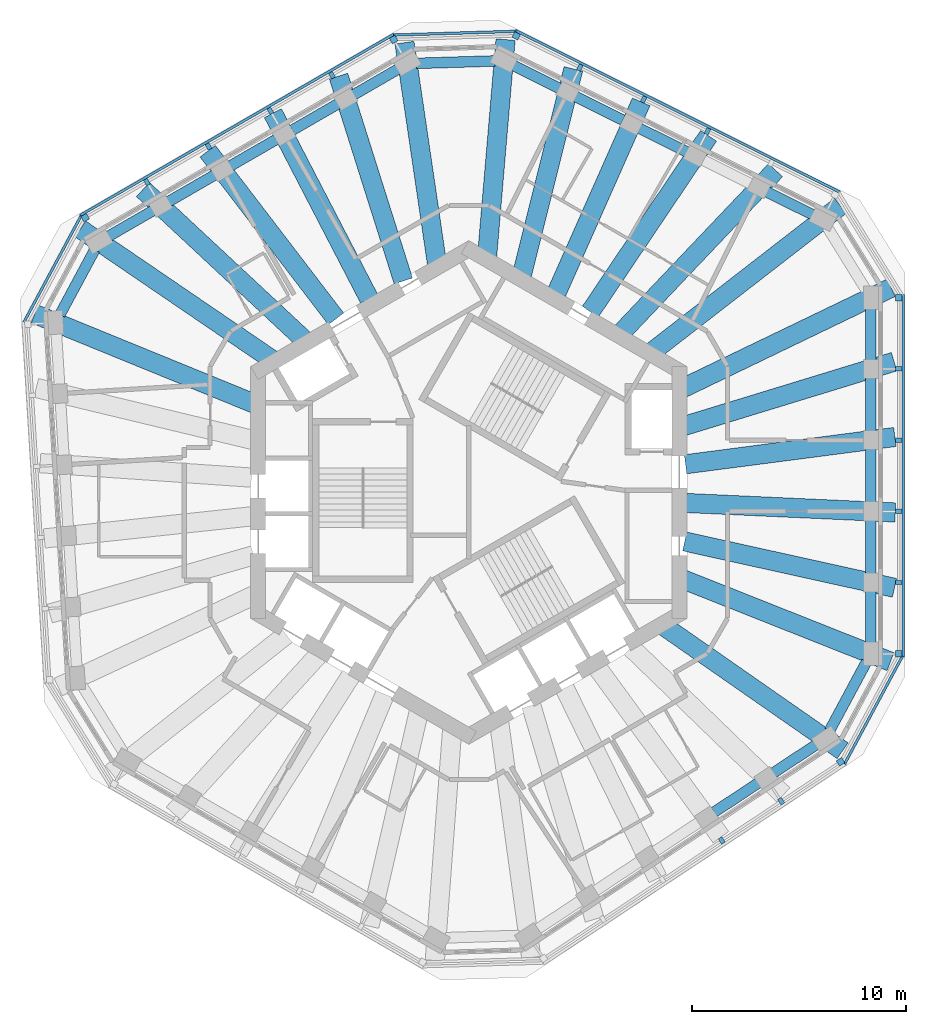
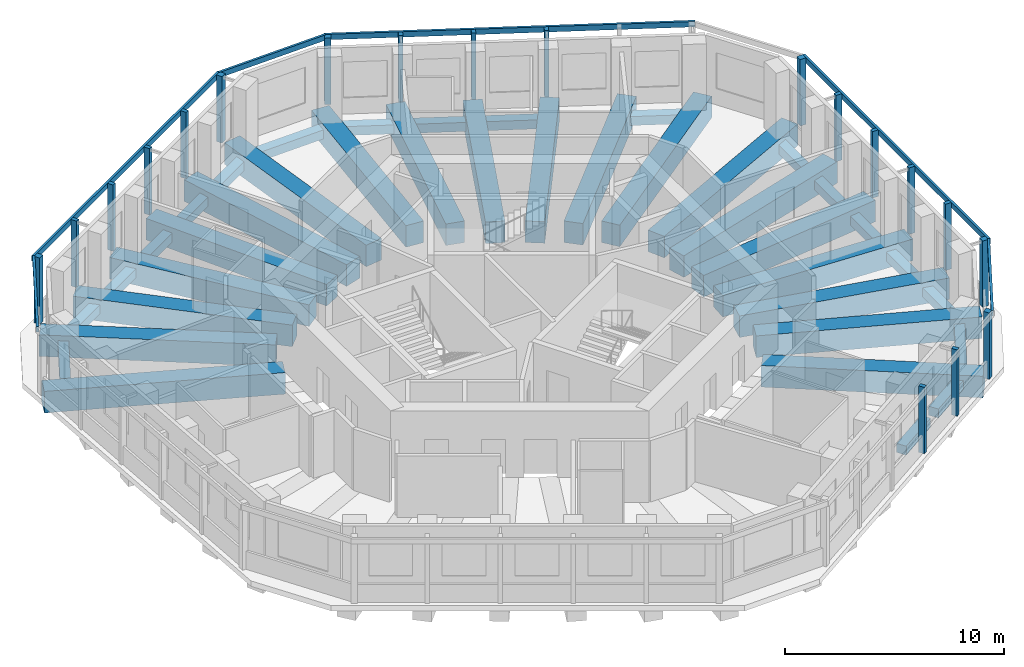
# One storey, part 2 of 11: 39 beams, 25 members, 7 elements without a shape of their own.
"""IFC4 building model written with IfcOpenShell, lengths in metres."""

from ifc_helpers import new_model, si_unit, direction, frame, origin, origin_2d, place, context, subcontext, project, spatial, rectangle, extrude, material, material_profile, profile_set, type_object, element, aggregate, save


model = new_model("IFC4")

# Units and contexts
model_context = context("Model", 3, precision=1e-05, world=origin(), true_north=direction((0.0, 1.0)))
body_context = subcontext(model_context, "Body", "Model", "MODEL_VIEW")
ifc_project = project(units=[si_unit("LENGTHUNIT", "METRE"), si_unit("AREAUNIT", "SQUARE_METRE"), si_unit("VOLUMEUNIT", "CUBIC_METRE"), si_unit("PLANEANGLEUNIT", "RADIAN"), si_unit("MASSUNIT", "GRAM", prefix="KILO")], contexts=[model_context])

# Site, building, storey
site_placement = place(None, origin())
site = spatial("IfcSite", under=ifc_project, at=site_placement, CompositionType="ELEMENT")
building_placement = place(site_placement, origin())
building = spatial("IfcBuilding", under=site, at=building_placement, Name="Vanh Sen Convention Tower", CompositionType="ELEMENT")
storey_placement = place(building_placement, frame((0.0, 0.0, 259.800048828125)))
storey = spatial("IfcBuildingStorey", under=building, at=storey_placement, Name="L64", CompositionType="ELEMENT", Elevation=259.800048828125)

# Curtain wall, members
ifc_material_1 = material(Name="Concrete C50/60", Category="concrete")
curtain_wall_type = type_object("IfcCurtainWallType", Name="Outer skin office zone", PredefinedType="NOTDEFINED", material=ifc_material_1)
curtain_wall_1_placement = place(storey_placement, origin())
curtain_wall_1 = element("IfcCurtainWall", 1, at=curtain_wall_1_placement, inside=storey, type_object=curtain_wall_type, Name="OUTER SKIN E L64", PredefinedType="NOTDEFINED")
ifc_material_profile_1 = material_profile(ifc_material_1, rectangle(XDim=0.300048828125, YDim=0.300048828125, at=origin_2d()), Name="Outer skin precast corner fin 300 x 300")
ifc_profile_set_1 = profile_set([ifc_material_profile_1], Name="Concrete C50/60")
member_type_1 = type_object("IfcMemberType", Name="Outer skin precast corner fin 300 x 300", PredefinedType="MULLION", material=ifc_profile_set_1)
member_1_placement = place(storey_placement, frame((20.10009765625, -7.546630859375, 0.0), z_axis=(0.0, 0.0, 1.0), x_axis=(0.0, 1.0, 0.0)))
member_1 = element("IfcMember", 2, at=member_1_placement, type_object=member_type_1, Name="OUTER SKIN CORNER FIN 1 E L64", PredefinedType="MULLION", context=body_context, shape_type="SweptSolid", body=[
    extrude(rectangle(XDim=0.300048828125, YDim=0.300048828125, at=origin_2d()), origin(), (0.0, 0.0, 1.0), 3.699951171875),
])
member_2_placement = place(storey_placement, frame((20.10009765625, 9.111572265625, 0.0), z_axis=(0.0, 0.0, 1.0), x_axis=(0.0, 1.0, 0.0)))
member_2 = element("IfcMember", 3, at=member_2_placement, type_object=member_type_1, Name="OUTER SKIN CORNER FIN 6 E L64", PredefinedType="MULLION", context=body_context, shape_type="SweptSolid", body=[
    extrude(rectangle(XDim=0.300048828125, YDim=0.300048828125, at=origin_2d()), origin(), (0.0, 0.0, 1.0), 3.699951171875),
])

# Curtain wall, member
curtain_wall_2_placement = place(storey_placement, origin())
curtain_wall_2 = element("IfcCurtainWall", 4, at=curtain_wall_2_placement, inside=storey, type_object=curtain_wall_type, Name="OUTER SKIN NE L64", PredefinedType="NOTDEFINED")
member_3_placement = place(storey_placement, frame((2.21484375, 21.35546875, 0.0), z_axis=(0.0, 0.0, 1.0), x_axis=(-0.894934361602, 0.44619781311, 0.0)))
member_3 = element("IfcMember", 5, at=member_3_placement, type_object=member_type_1, Name="OUTER SKIN CORNER FIN 6 NE L64", PredefinedType="MULLION", context=body_context, shape_type="SweptSolid", body=[
    extrude(rectangle(XDim=0.300048828125, YDim=0.300048828125, at=origin_2d()), origin(), (0.0, 0.0, 1.0), 3.699951171875),
])

# Curtain wall, members
curtain_wall_3_placement = place(storey_placement, origin())
curtain_wall_3 = element("IfcCurtainWall", 6, at=curtain_wall_3_placement, inside=storey, type_object=curtain_wall_type, Name="OUTER SKIN NW L64", PredefinedType="NOTDEFINED")
member_4_placement = place(storey_placement, frame((-3.514404296875, 21.180419921875, 0.0), z_axis=(0.0, 0.0, 1.0), x_axis=(-0.866025403784, -0.5, 0.0)))
member_4 = element("IfcMember", 7, at=member_4_placement, type_object=member_type_1, Name="OUTER SKIN CORNER FIN 1 NW L64", PredefinedType="MULLION", context=body_context, shape_type="SweptSolid", body=[
    extrude(rectangle(XDim=0.300048828125, YDim=0.300048828125, at=origin_2d()), origin(), (0.0, 0.0, 1.0), 3.699951171875),
])
member_5_placement = place(storey_placement, frame((-17.94091796875, 12.851318359375, 0.0), z_axis=(0.0, 0.0, 1.0), x_axis=(-0.866025403784, -0.5, 0.0)))
member_5 = element("IfcMember", 8, at=member_5_placement, type_object=member_type_1, Name="OUTER SKIN CORNER FIN 6 NW L64", PredefinedType="MULLION", context=body_context, shape_type="SweptSolid", body=[
    extrude(rectangle(XDim=0.300048828125, YDim=0.300048828125, at=origin_2d()), origin(), (0.0, 0.0, 1.0), 3.699951171875),
])

# Curtain wall, member
curtain_wall_4_placement = place(storey_placement, origin())
curtain_wall_4 = element("IfcCurtainWall", 9, at=curtain_wall_4_placement, inside=storey, type_object=curtain_wall_type, Name="OUTER SKIN SE L64", PredefinedType="NOTDEFINED")
member_6_placement = place(storey_placement, frame((17.386962890625, -12.595703125, 0.0), z_axis=(0.0, 0.0, 1.0), x_axis=(0.833885822067, 0.551936985312, 0.0)))
member_6 = element("IfcMember", 10, at=member_6_placement, type_object=member_type_1, Name="OUTER SKIN CORNER FIN 6 SE L64", PredefinedType="MULLION", context=body_context, shape_type="SweptSolid", body=[
    extrude(rectangle(XDim=0.300048828125, YDim=0.300048828125, at=origin_2d()), origin(), (0.0, 0.0, 1.0), 3.699951171875),
])

# Member
ifc_material_profile_2 = material_profile(ifc_material_1, rectangle(XDim=0.199951171875, YDim=0.300048828125, at=origin_2d()), Name="Outer skin precast fin 200 x 300")
ifc_profile_set_2 = profile_set([ifc_material_profile_2], Name="Concrete C50/60")
member_type_2 = type_object("IfcMemberType", Name="Outer skin precast fin 200 x 300", PredefinedType="MULLION", material=ifc_profile_set_2)
member_7_placement = place(storey_placement, frame((20.10009765625, -4.215087890625, 0.0), z_axis=(0.0, 0.0, 1.0), x_axis=(0.0, 1.0, 0.0)))
member_7 = element("IfcMember", 11, at=member_7_placement, type_object=member_type_2, Name="OUTER SKIN fin 2 E L64", PredefinedType="MULLION", context=body_context, shape_type="SweptSolid", body=[
    extrude(rectangle(XDim=0.199951171875, YDim=0.300048828125, at=origin_2d()), origin(), (0.0, 0.0, 1.0), 3.699951171875),
])

member_8_placement = place(storey_placement, frame((20.10009765625, -0.88330078125, 0.0), z_axis=(0.0, 0.0, 1.0), x_axis=(0.0, 1.0, 0.0)))
member_8 = element("IfcMember", 12, at=member_8_placement, type_object=member_type_2, Name="OUTER SKIN fin 3 E L64", PredefinedType="MULLION", context=body_context, shape_type="SweptSolid", body=[
    extrude(rectangle(XDim=0.199951171875, YDim=0.300048828125, at=origin_2d()), origin(), (0.0, 0.0, 1.0), 3.699951171875),
])

member_9_placement = place(storey_placement, frame((20.10009765625, 2.4482421875, 0.0), z_axis=(0.0, 0.0, 1.0), x_axis=(0.0, 1.0, 0.0)))
member_9 = element("IfcMember", 13, at=member_9_placement, type_object=member_type_2, Name="OUTER SKIN fin 4 E L64", PredefinedType="MULLION", context=body_context, shape_type="SweptSolid", body=[
    extrude(rectangle(XDim=0.199951171875, YDim=0.300048828125, at=origin_2d()), origin(), (0.0, 0.0, 1.0), 3.699951171875),
])

member_10_placement = place(storey_placement, frame((20.10009765625, 5.77978515625, 0.0), z_axis=(0.0, 0.0, 1.0), x_axis=(0.0, 1.0, 0.0)))
member_10 = element("IfcMember", 14, at=member_10_placement, type_object=member_type_2, Name="OUTER SKIN fin 5 E L64", PredefinedType="MULLION", context=body_context, shape_type="SweptSolid", body=[
    extrude(rectangle(XDim=0.199951171875, YDim=0.300048828125, at=origin_2d()), origin(), (0.0, 0.0, 1.0), 3.699951171875),
])

member_11_placement = place(storey_placement, frame((11.15966796875, 16.895751953125, 0.0), z_axis=(0.0, 0.0, 1.0), x_axis=(-0.894934361602, 0.44619781311, 0.0)))
member_11 = element("IfcMember", 15, at=member_11_placement, type_object=member_type_2, Name="OUTER SKIN fin 3 NE L64", PredefinedType="MULLION", context=body_context, shape_type="SweptSolid", body=[
    extrude(rectangle(XDim=0.199951171875, YDim=0.300048828125, at=origin_2d()), origin(), (0.0, 0.0, 1.0), 3.699951171875),
])

member_12_placement = place(storey_placement, frame((8.177978515625, 18.38232421875, 0.0), z_axis=(0.0, 0.0, 1.0), x_axis=(-0.894934361602, 0.44619781311, 0.0)))
member_12 = element("IfcMember", 16, at=member_12_placement, type_object=member_type_2, Name="OUTER SKIN fin 4 NE L64", PredefinedType="MULLION", context=body_context, shape_type="SweptSolid", body=[
    extrude(rectangle(XDim=0.199951171875, YDim=0.300048828125, at=origin_2d()), origin(), (0.0, 0.0, 1.0), 3.699951171875),
])

member_13_placement = place(storey_placement, frame((5.1962890625, 19.868896484375, 0.0), z_axis=(0.0, 0.0, 1.0), x_axis=(-0.894934361602, 0.44619781311, 0.0)))
member_13 = element("IfcMember", 17, at=member_13_placement, type_object=member_type_2, Name="OUTER SKIN fin 5 NE L64", PredefinedType="MULLION", context=body_context, shape_type="SweptSolid", body=[
    extrude(rectangle(XDim=0.199951171875, YDim=0.300048828125, at=origin_2d()), origin(), (0.0, 0.0, 1.0), 3.699951171875),
])

member_14_placement = place(storey_placement, frame((-6.399658203125, 19.5146484375, 0.0), z_axis=(0.0, 0.0, 1.0), x_axis=(-0.866025403784, -0.5, 0.0)))
member_14 = element("IfcMember", 18, at=member_14_placement, type_object=member_type_2, Name="OUTER SKIN fin 2 NW L64", PredefinedType="MULLION", context=body_context, shape_type="SweptSolid", body=[
    extrude(rectangle(XDim=0.199951171875, YDim=0.300048828125, at=origin_2d()), origin(), (0.0, 0.0, 1.0), 3.699951171875),
])

member_15_placement = place(storey_placement, frame((-9.284912109375, 17.848876953125, 0.0), z_axis=(0.0, 0.0, 1.0), x_axis=(-0.866025403784, -0.5, 0.0)))
member_15 = element("IfcMember", 19, at=member_15_placement, type_object=member_type_2, Name="OUTER SKIN fin 3 NW L64", PredefinedType="MULLION", context=body_context, shape_type="SweptSolid", body=[
    extrude(rectangle(XDim=0.199951171875, YDim=0.300048828125, at=origin_2d()), origin(), (0.0, 0.0, 1.0), 3.699951171875),
])

member_16_placement = place(storey_placement, frame((-12.170166015625, 16.18310546875, 0.0), z_axis=(0.0, 0.0, 1.0), x_axis=(-0.866025403784, -0.5, 0.0)))
member_16 = element("IfcMember", 20, at=member_16_placement, type_object=member_type_2, Name="OUTER SKIN fin 4 NW L64", PredefinedType="MULLION", context=body_context, shape_type="SweptSolid", body=[
    extrude(rectangle(XDim=0.199951171875, YDim=0.300048828125, at=origin_2d()), origin(), (0.0, 0.0, 1.0), 3.699951171875),
])

member_17_placement = place(storey_placement, frame((-15.055419921875, 14.51708984375, 0.0), z_axis=(0.0, 0.0, 1.0), x_axis=(-0.866025403784, -0.5, 0.0)))
member_17 = element("IfcMember", 21, at=member_17_placement, type_object=member_type_2, Name="OUTER SKIN fin 5 NW L64", PredefinedType="MULLION", context=body_context, shape_type="SweptSolid", body=[
    extrude(rectangle(XDim=0.199951171875, YDim=0.300048828125, at=origin_2d()), origin(), (0.0, 0.0, 1.0), 3.699951171875),
])

member_18_placement = place(storey_placement, frame((11.83056640625, -16.273681640625, 0.0), z_axis=(0.0, 0.0, 1.0), x_axis=(0.833885822067, 0.551936985312, 0.0)))
member_18 = element("IfcMember", 22, at=member_18_placement, type_object=member_type_2, Name="OUTER SKIN fin 4 SE L64", PredefinedType="MULLION", context=body_context, shape_type="SweptSolid", body=[
    extrude(rectangle(XDim=0.199951171875, YDim=0.300048828125, at=origin_2d()), origin(), (0.0, 0.0, 1.0), 3.699951171875),
])

member_19_placement = place(storey_placement, frame((14.60888671875, -14.434814453125, 0.0), z_axis=(0.0, 0.0, 1.0), x_axis=(0.833885822067, 0.551936985312, 0.0)))
member_19 = element("IfcMember", 23, at=member_19_placement, type_object=member_type_2, Name="OUTER SKIN fin 5 SE L64", PredefinedType="MULLION", context=body_context, shape_type="SweptSolid", body=[
    extrude(rectangle(XDim=0.199951171875, YDim=0.300048828125, at=origin_2d()), origin(), (0.0, 0.0, 1.0), 3.699951171875),
])

aggregate(curtain_wall_4, [member_18, member_19, member_6])

ifc_material_profile_3 = material_profile(ifc_material_1, rectangle(XDim=0.1201171875, YDim=0.300048828125, at=origin_2d()), Name="Outer skin precast spandrel band 300 x 120")
ifc_profile_set_3 = profile_set([ifc_material_profile_3], Name="Concrete C50/60")
member_type_3 = type_object("IfcMemberType", Name="Outer skin precast spandrel band 300 x 120", PredefinedType="USERDEFINED", material=ifc_profile_set_3)
member_20_placement = place(storey_placement, frame((20.31005859375, -7.69677734375, 3.550048828125), z_axis=(0.0, 1.0, 0.0), x_axis=(-1.0, 0.0, 0.0)))
member_20 = element("IfcMember", 24, at=member_20_placement, type_object=member_type_3, Name="OUTER SKIN spandrel band E L64", ObjectType="TRANSOM", PredefinedType="USERDEFINED", context=body_context, shape_type="SweptSolid", body=[
    extrude(rectangle(XDim=0.1201171875, YDim=0.300048828125, at=origin_2d()), origin(), (0.0, 0.0, 1.0), 16.958251953125),
])

aggregate(curtain_wall_1, [member_1, member_7, member_8, member_9, member_10, member_2, member_20])

member_21_placement = place(storey_placement, frame((17.3505859375, 14.043701171875, 3.550048828125), z_axis=(-0.894933383827, 0.446199774218, 0.0), x_axis=(-0.446199774218, -0.894933383827, 0.0)))
member_21 = element("IfcMember", 25, at=member_21_placement, type_object=member_type_3, Name="OUTER SKIN spandrel band NE L64", ObjectType="TRANSOM", PredefinedType="USERDEFINED", context=body_context, shape_type="SweptSolid", body=[
    extrude(rectangle(XDim=0.1201171875, YDim=0.300048828125, at=origin_2d()), origin(), (0.0, 0.0, 1.0), 16.9580078125),
])

aggregate(curtain_wall_2, [member_11, member_12, member_13, member_3, member_21])

# Curtain wall, member
curtain_wall_5_placement = place(storey_placement, origin())
curtain_wall_5 = element("IfcCurtainWall", 26, at=curtain_wall_5_placement, inside=storey, type_object=curtain_wall_type, Name="OUTER SKIN CH2 L64", PredefinedType="NOTDEFINED")
member_22_placement = place(storey_placement, frame((2.208251953125, 21.5654296875, 3.550048828125), z_axis=(-0.999533527312, -0.030540592307, 0.0), x_axis=(0.030540592307, -0.999533527312, 0.0)))
member_22 = element("IfcMember", 27, at=member_22_placement, type_object=member_type_3, Name="OUTER SKIN spandrel band CH2 L64", ObjectType="TRANSOM", PredefinedType="USERDEFINED", context=body_context, shape_type="SweptSolid", body=[
    extrude(rectangle(XDim=0.1201171875, YDim=0.300048828125, at=origin_2d()), origin(), (0.0, 0.0, 1.0), 5.731689453125),
])
aggregate(curtain_wall_5, [member_22])

# Member
member_23_placement = place(storey_placement, frame((-3.489501953125, 21.4375, 3.550048828125), z_axis=(-0.866022320763, -0.500005339912, 0.0), x_axis=(0.500005339912, -0.866022320763, 0.0)))
member_23 = element("IfcMember", 28, at=member_23_placement, type_object=member_type_3, Name="OUTER SKIN spandrel band NW L64", ObjectType="TRANSOM", PredefinedType="USERDEFINED", context=body_context, shape_type="SweptSolid", body=[
    extrude(rectangle(XDim=0.1201171875, YDim=0.300048828125, at=origin_2d()), origin(), (0.0, 0.0, 1.0), 16.958251953125),
])

aggregate(curtain_wall_3, [member_4, member_14, member_15, member_16, member_17, member_5, member_23])

# Curtain wall, member
curtain_wall_6_placement = place(storey_placement, origin())
curtain_wall_6 = element("IfcCurtainWall", 29, at=curtain_wall_6_placement, inside=storey, type_object=curtain_wall_type, Name="OUTER SKIN CH3 L64", PredefinedType="NOTDEFINED")
member_24_placement = place(storey_placement, frame((-18.125732421875, 12.95068359375, 3.550048828125), z_axis=(-0.473325096028, -0.880887821161, 0.0), x_axis=(0.880887821161, -0.473325096028, 0.0)))
member_24 = element("IfcMember", 30, at=member_24_placement, type_object=member_type_3, Name="OUTER SKIN spandrel band CH3 L64", ObjectType="TRANSOM", PredefinedType="USERDEFINED", context=body_context, shape_type="SweptSolid", body=[
    extrude(rectangle(XDim=0.1201171875, YDim=0.300048828125, at=origin_2d()), origin(), (0.0, 0.0, 1.0), 5.65771484375),
])
aggregate(curtain_wall_6, [member_24])

curtain_wall_7_placement = place(storey_placement, origin())
curtain_wall_7 = element("IfcCurtainWall", 31, at=curtain_wall_7_placement, inside=storey, type_object=curtain_wall_type, Name="OUTER SKIN CH6 L64", PredefinedType="NOTDEFINED")
member_25_placement = place(storey_placement, frame((17.572021484375, -12.695068359375, 3.550048828125), z_axis=(0.473309680768, 0.880896104028, 0.0), x_axis=(-0.880896104028, 0.473309680768, 0.0)))
member_25 = element("IfcMember", 32, at=member_25_placement, type_object=member_type_3, Name="OUTER SKIN spandrel band CH6 L64", ObjectType="TRANSOM", PredefinedType="USERDEFINED", context=body_context, shape_type="SweptSolid", body=[
    extrude(rectangle(XDim=0.1201171875, YDim=0.300048828125, at=origin_2d()), origin(), (0.0, 0.0, 1.0), 5.731689453125),
])
aggregate(curtain_wall_7, [member_25])

# Beams
ifc_material_2 = material(Name="Concrete C50/60", Category="concrete")
ifc_material_profile_4 = material_profile(ifc_material_2, rectangle(XDim=0.5, YDim=0.5, at=origin_2d()), Name="RC 500X500")
ifc_profile_set_4 = profile_set([ifc_material_profile_4], Name="Concrete C50/60")
beam_type_1 = type_object("IfcBeamType", Name="Spandrel beam 500 x 500", PredefinedType="SPANDREL", material=ifc_profile_set_4)
beam_1_placement = place(storey_placement, frame((18.800048828125, -7.166748046875, -0.530029296875), z_axis=(0.0, 1.0, 0.0), x_axis=(-1.0, 0.0, 0.0)))
element("IfcBeam", 33, at=beam_1_placement, inside=storey, type_object=beam_type_1, Name="Spandrel beam 01 L64", PredefinedType="SPANDREL", context=body_context, shape_type="SweptSolid", body=[
    extrude(rectangle(XDim=0.5, YDim=0.5, at=origin_2d()), origin(), (0.0, 0.0, 1.0), 2.551025390625),
])
beam_2_placement = place(storey_placement, frame((18.800048828125, -3.814453125, -0.530029296875), z_axis=(0.0, 1.0, 0.0), x_axis=(-1.0, 0.0, 0.0)))
element("IfcBeam", 34, at=beam_2_placement, inside=storey, type_object=beam_type_1, Name="Spandrel beam 02 L64", PredefinedType="SPANDREL", context=body_context, shape_type="SweptSolid", body=[
    extrude(rectangle(XDim=0.5, YDim=0.5, at=origin_2d()), origin(), (0.0, 0.0, 1.0), 2.4970703125),
])
beam_3_placement = place(storey_placement, frame((18.800048828125, -0.44921875, -0.530029296875), z_axis=(0.0, 1.0, 0.0), x_axis=(-1.0, 0.0, 0.0)))
element("IfcBeam", 35, at=beam_3_placement, inside=storey, type_object=beam_type_1, Name="Spandrel beam 03 L64", PredefinedType="SPANDREL", context=body_context, shape_type="SweptSolid", body=[
    extrude(rectangle(XDim=0.5, YDim=0.5, at=origin_2d()), origin(), (0.0, 0.0, 1.0), 2.481201171875),
])
beam_4_placement = place(storey_placement, frame((18.800048828125, 2.864501953125, -0.530029296875), z_axis=(0.0, 1.0, 0.0), x_axis=(-1.0, 0.0, 0.0)))
element("IfcBeam", 36, at=beam_4_placement, inside=storey, type_object=beam_type_1, Name="Spandrel beam 04 L64", PredefinedType="SPANDREL", context=body_context, shape_type="SweptSolid", body=[
    extrude(rectangle(XDim=0.5, YDim=0.5, at=origin_2d()), origin(), (0.0, 0.0, 1.0), 2.5263671875),
])
beam_5_placement = place(storey_placement, frame((18.800048828125, 6.1689453125, -0.530029296875), z_axis=(0.0, 1.0, 0.0), x_axis=(-1.0, 0.0, 0.0)))
element("IfcBeam", 37, at=beam_5_placement, inside=storey, type_object=beam_type_1, Name="Spandrel beam 05 L64", PredefinedType="SPANDREL", context=body_context, shape_type="SweptSolid", body=[
    extrude(rectangle(XDim=0.5, YDim=0.5, at=origin_2d()), origin(), (0.0, 0.0, 1.0), 2.568359375),
])
beam_6_placement = place(storey_placement, frame((16.2080078125, 12.926025390625, -0.530029296875), z_axis=(-0.894920866208, 0.446224879657, 0.0), x_axis=(-0.446224879657, -0.894920866208, 0.0)))
element("IfcBeam", 38, at=beam_6_placement, inside=storey, type_object=beam_type_1, Name="Spandrel beam 07 L64", PredefinedType="SPANDREL", context=body_context, shape_type="SweptSolid", body=[
    extrude(rectangle(XDim=0.5, YDim=0.5, at=origin_2d()), origin(), (0.0, 0.0, 1.0), 2.56884765625),
])
beam_7_placement = place(storey_placement, frame((10.20703125, 15.918212890625, -0.530029296875), z_axis=(-0.89493822386, 0.446190066535, 0.0), x_axis=(-0.446190066535, -0.89493822386, 0.0)))
element("IfcBeam", 39, at=beam_7_placement, inside=storey, type_object=beam_type_1, Name="Spandrel beam 09 L64", PredefinedType="SPANDREL", context=body_context, shape_type="SweptSolid", body=[
    extrude(rectangle(XDim=0.5, YDim=0.5, at=origin_2d()), origin(), (0.0, 0.0, 1.0), 2.4814453125),
])
beam_8_placement = place(storey_placement, frame((7.20947265625, 17.41259765625, -0.530029296875), z_axis=(-0.894915521197, 0.44623559912, 0.0), x_axis=(-0.44623559912, -0.894915521197, 0.0)))
element("IfcBeam", 40, at=beam_8_placement, inside=storey, type_object=beam_type_1, Name="Spandrel beam 10 L64", PredefinedType="SPANDREL", context=body_context, shape_type="SweptSolid", body=[
    extrude(rectangle(XDim=0.5, YDim=0.5, at=origin_2d()), origin(), (0.0, 0.0, 1.0), 2.4970703125),
])
beam_9_placement = place(storey_placement, frame((4.2578125, 18.88427734375, -0.530029296875), z_axis=(-0.894924242763, 0.446218107785, 0.0), x_axis=(-0.446218107785, -0.894924242763, 0.0)))
element("IfcBeam", 41, at=beam_9_placement, inside=storey, type_object=beam_type_1, Name="Spandrel beam 11 L64", PredefinedType="SPANDREL", context=body_context, shape_type="SweptSolid", body=[
    extrude(rectangle(XDim=0.5, YDim=0.5, at=origin_2d()), origin(), (0.0, 0.0, 1.0), 2.55126953125),
])
beam_10_placement = place(storey_placement, frame((1.2158203125, 20.17919921875, -0.530029296875), z_axis=(-0.999533997205, -0.030525209757, 0.0), x_axis=(0.030525209757, -0.999533997205, 0.0)))
element("IfcBeam", 42, at=beam_10_placement, inside=storey, type_object=beam_type_1, Name="Spandrel beam 12 L64", PredefinedType="SPANDREL", context=body_context, shape_type="SweptSolid", body=[
    extrude(rectangle(XDim=0.5, YDim=0.5, at=origin_2d()), origin(), (0.0, 0.0, 1.0), 3.6630859375),
])
beam_11_placement = place(storey_placement, frame((-3.193359375, 19.86474609375, -0.530029296875), z_axis=(-0.866002303654, -0.500040008464, 0.0), x_axis=(0.500040008464, -0.866002303654, 0.0)))
element("IfcBeam", 43, at=beam_11_placement, inside=storey, type_object=beam_type_1, Name="Spandrel beam 13 L64", PredefinedType="SPANDREL", context=body_context, shape_type="SweptSolid", body=[
    extrude(rectangle(XDim=0.5, YDim=0.5, at=origin_2d()), origin(), (0.0, 0.0, 1.0), 2.551025390625),
])
beam_12_placement = place(storey_placement, frame((-6.096435546875, 18.1884765625, -0.530029296875), z_axis=(-0.866050440154, -0.499956633229, 0.0), x_axis=(0.499956633229, -0.866050440154, 0.0)))
element("IfcBeam", 44, at=beam_12_placement, inside=storey, type_object=beam_type_1, Name="Spandrel beam 14 L64", PredefinedType="SPANDREL", context=body_context, shape_type="SweptSolid", body=[
    extrude(rectangle(XDim=0.5, YDim=0.5, at=origin_2d()), origin(), (0.0, 0.0, 1.0), 2.496826171875),
])
beam_13_placement = place(storey_placement, frame((-9.010986328125, 16.505859375, -0.530029296875), z_axis=(-0.866036470033, -0.499980832205, 0.0), x_axis=(0.499980832205, -0.866036470033, 0.0)))
element("IfcBeam", 45, at=beam_13_placement, inside=storey, type_object=beam_type_1, Name="Spandrel beam 15 L64", PredefinedType="SPANDREL", context=body_context, shape_type="SweptSolid", body=[
    extrude(rectangle(XDim=0.5, YDim=0.5, at=origin_2d()), origin(), (0.0, 0.0, 1.0), 2.48095703125),
])
beam_14_placement = place(storey_placement, frame((-11.880615234375, 14.84912109375, -0.530029296875), z_axis=(-0.866034321076, -0.49998455448, 0.0), x_axis=(0.49998455448, -0.866034321076, 0.0)))
element("IfcBeam", 46, at=beam_14_placement, inside=storey, type_object=beam_type_1, Name="Spandrel beam 16 L64", PredefinedType="SPANDREL", context=body_context, shape_type="SweptSolid", body=[
    extrude(rectangle(XDim=0.5, YDim=0.5, at=origin_2d()), origin(), (0.0, 0.0, 1.0), 2.5263671875),
])
beam_15_placement = place(storey_placement, frame((-14.742431640625, 13.19677734375, -0.530029296875), z_axis=(-0.866035212034, -0.499983011228, 0.0), x_axis=(0.499983011228, -0.866035212034, 0.0)))
element("IfcBeam", 47, at=beam_15_placement, inside=storey, type_object=beam_type_1, Name="Spandrel beam 17 L64", PredefinedType="SPANDREL", context=body_context, shape_type="SweptSolid", body=[
    extrude(rectangle(XDim=0.5, YDim=0.5, at=origin_2d()), origin(), (0.0, 0.0, 1.0), 2.568359375),
])
beam_16_placement = place(storey_placement, frame((-17.489990234375, 11.3544921875, -0.530029296875), z_axis=(-0.473335284524, -0.880882346528, 0.0), x_axis=(0.880882346528, -0.473335284524, 0.0)))
element("IfcBeam", 48, at=beam_16_placement, inside=storey, type_object=beam_type_1, Name="Spandrel beam 18 L64", PredefinedType="SPANDREL", context=body_context, shape_type="SweptSolid", body=[
    extrude(rectangle(XDim=0.5, YDim=0.5, at=origin_2d()), origin(), (0.0, 0.0, 1.0), 3.447509765625),
])
beam_17_placement = place(storey_placement, frame((11.47509765625, -14.949951171875, -0.530029296875), z_axis=(0.833866023006, 0.551966897264, 0.0), x_axis=(-0.551966897264, 0.833866023006, 0.0)))
element("IfcBeam", 49, at=beam_17_placement, inside=storey, type_object=beam_type_1, Name="Spandrel beam 34 L64", PredefinedType="SPANDREL", context=body_context, shape_type="SweptSolid", body=[
    extrude(rectangle(XDim=0.5, YDim=0.5, at=origin_2d()), origin(), (0.0, 0.0, 1.0), 2.496826171875),
])
beam_18_placement = place(storey_placement, frame((14.225341796875, -13.12939453125, -0.530029296875), z_axis=(0.833915365654, 0.551892347226, 0.0), x_axis=(-0.551892347226, 0.833915365654, 0.0)))
element("IfcBeam", 50, at=beam_18_placement, inside=storey, type_object=beam_type_1, Name="Spandrel beam 35 L64", PredefinedType="SPANDREL", context=body_context, shape_type="SweptSolid", body=[
    extrude(rectangle(XDim=0.5, YDim=0.5, at=origin_2d()), origin(), (0.0, 0.0, 1.0), 2.55126953125),
])
beam_19_placement = place(storey_placement, frame((16.867919921875, -11.142578125, -0.530029296875), z_axis=(0.473332582123, 0.880883798637, 0.0), x_axis=(-0.880883798637, 0.473332582123, 0.0)))
element("IfcBeam", 51, at=beam_19_placement, inside=storey, type_object=beam_type_1, Name="Spandrel beam 36 L64", PredefinedType="SPANDREL", context=body_context, shape_type="SweptSolid", body=[
    extrude(rectangle(XDim=0.5, YDim=0.5, at=origin_2d()), origin(), (0.0, 0.0, 1.0), 3.6630859375),
])
ifc_material_profile_5 = material_profile(ifc_material_2, rectangle(XDim=0.89990234375, YDim=1.199951171875, at=origin_2d()), Name="RC 900X1200")
ifc_profile_set_5 = profile_set([ifc_material_profile_5], Name="Concrete C50/60")
beam_type_2 = type_object("IfcBeamType", Name="Transfer beam 900 x 1200", PredefinedType="BEAM", material=ifc_profile_set_5)
beam_20_placement = place(storey_placement, frame((19.720458984375, -7.911865234375, -0.60009765625), z_axis=(-0.929559639281, 0.368671774102, 0.0), x_axis=(-0.368671774102, -0.929559639281, 0.0)))
element("IfcBeam", 52, at=beam_20_placement, inside=storey, type_object=beam_type_2, Name="Transfer beam 01 L64", PredefinedType="BEAM", context=body_context, shape_type="SweptSolid", body=[
    extrude(rectangle(XDim=0.89990234375, YDim=1.199951171875, at=origin_2d()), origin(), (0.0, 0.0, 1.0), 10.42529296875),
])
beam_21_placement = place(storey_placement, frame((19.906982421875, -4.459716796875, -0.60009765625), z_axis=(-0.976451094264, 0.215738871118, 0.0), x_axis=(-0.215738871118, -0.976451094264, 0.0)))
element("IfcBeam", 53, at=beam_21_placement, inside=storey, type_object=beam_type_2, Name="Transfer beam 02 L64", PredefinedType="BEAM", context=body_context, shape_type="SweptSolid", body=[
    extrude(rectangle(XDim=0.89990234375, YDim=1.199951171875, at=origin_2d()), origin(), (0.0, 0.0, 1.0), 10.045654296875),
])
beam_22_placement = place(storey_placement, frame((19.94482421875, -0.935302734375, -0.60009765625), z_axis=(-0.998975374253, 0.045257061734, 0.0), x_axis=(-0.045257061734, -0.998975374253, 0.0)))
element("IfcBeam", 54, at=beam_22_placement, inside=storey, type_object=beam_type_2, Name="Transfer beam 03 L64", PredefinedType="BEAM", context=body_context, shape_type="SweptSolid", body=[
    extrude(rectangle(XDim=0.89990234375, YDim=1.199951171875, at=origin_2d()), origin(), (0.0, 0.0, 1.0), 9.7802734375),
])
beam_23_placement = place(storey_placement, frame((19.926025390625, 2.594970703125, -0.60009765625), z_axis=(-0.991612818072, -0.129244029011, 0.0), x_axis=(0.129244029011, -0.991612818072, 0.0)))
element("IfcBeam", 55, at=beam_23_placement, inside=storey, type_object=beam_type_2, Name="Transfer beam 04 L64", PredefinedType="BEAM", context=body_context, shape_type="SweptSolid", body=[
    extrude(rectangle(XDim=0.89990234375, YDim=1.199951171875, at=origin_2d()), origin(), (0.0, 0.0, 1.0), 9.871826171875),
])
beam_24_placement = place(storey_placement, frame((19.890380859375, 6.113525390625, -0.60009765625), z_axis=(-0.956255985302, -0.292531178808, 0.0), x_axis=(0.292531178808, -0.956255985302, 0.0)))
element("IfcBeam", 56, at=beam_24_placement, inside=storey, type_object=beam_type_2, Name="Transfer beam 05 L64", PredefinedType="BEAM", context=body_context, shape_type="SweptSolid", body=[
    extrude(rectangle(XDim=0.89990234375, YDim=1.199951171875, at=origin_2d()), origin(), (0.0, 0.0, 1.0), 10.276123046875),
])
beam_25_placement = place(storey_placement, frame((19.749755859375, 9.569091796875, -0.60009765625), z_axis=(-0.900935359184, -0.433953313816, 0.0), x_axis=(0.433953313816, -0.900935359184, 0.0)))
element("IfcBeam", 57, at=beam_25_placement, inside=storey, type_object=beam_type_2, Name="Transfer beam 06 L64", PredefinedType="BEAM", context=body_context, shape_type="SweptSolid", body=[
    extrude(rectangle(XDim=0.89990234375, YDim=1.199951171875, at=origin_2d()), origin(), (0.0, 0.0, 1.0), 10.821533203125),
])
beam_26_placement = place(storey_placement, frame((17.375732421875, 13.405029296875, -0.60009765625), z_axis=(-0.790307432717, -0.612710504065, 0.0), x_axis=(0.612710504065, -0.790307432717, 0.0)))
element("IfcBeam", 58, at=beam_26_placement, inside=storey, type_object=beam_type_2, Name="Transfer beam 07 L64", PredefinedType="BEAM", context=body_context, shape_type="SweptSolid", body=[
    extrude(rectangle(XDim=0.89990234375, YDim=1.199951171875, at=origin_2d()), origin(), (0.0, 0.0, 1.0), 11.09521484375),
])
beam_27_placement = place(storey_placement, frame((14.34619140625, 15.07275390625, -0.60009765625), z_axis=(-0.688532169787, -0.725205799183, 0.0), x_axis=(0.725205799183, -0.688532169787, 0.0)))
element("IfcBeam", 59, at=beam_27_placement, inside=storey, type_object=beam_type_2, Name="Transfer beam 08 L64", PredefinedType="BEAM", context=body_context, shape_type="SweptSolid", body=[
    extrude(rectangle(XDim=0.89990234375, YDim=1.199951171875, at=origin_2d()), origin(), (0.0, 0.0, 1.0), 10.425048828125),
])
beam_28_placement = place(storey_placement, frame((11.21337890625, 16.6748046875, -0.60009765625), z_axis=(-0.558141834359, -0.829745559035, 0.0), x_axis=(0.829745559035, -0.558141834359, 0.0)))
element("IfcBeam", 60, at=beam_28_placement, inside=storey, type_object=beam_type_2, Name="Transfer beam 09 L64", PredefinedType="BEAM", context=body_context, shape_type="SweptSolid", body=[
    extrude(rectangle(XDim=0.89990234375, YDim=1.199951171875, at=origin_2d()), origin(), (0.0, 0.0, 1.0), 9.906494140625),
])
beam_29_placement = place(storey_placement, frame((8.0625, 18.266845703125, -0.60009765625), z_axis=(-0.405242263788, -0.914209334693, 0.0), x_axis=(0.914209334693, -0.405242263788, 0.0)))
element("IfcBeam", 61, at=beam_29_placement, inside=storey, type_object=beam_type_2, Name="Transfer beam 10 L64", PredefinedType="BEAM", context=body_context, shape_type="SweptSolid", body=[
    extrude(rectangle(XDim=0.89990234375, YDim=1.199951171875, at=origin_2d()), origin(), (0.0, 0.0, 1.0), 9.758544921875),
])
beam_30_placement = place(storey_placement, frame((4.891357421875, 19.805419921875, -0.60009765625), z_axis=(-0.242582006166, -0.970130903685, 0.0), x_axis=(0.970130903685, -0.242582006166, 0.0)))
element("IfcBeam", 62, at=beam_30_placement, inside=storey, type_object=beam_type_2, Name="Transfer beam 11 L64", PredefinedType="BEAM", context=body_context, shape_type="SweptSolid", body=[
    extrude(rectangle(XDim=0.89990234375, YDim=1.199951171875, at=origin_2d()), origin(), (0.0, 0.0, 1.0), 9.908203125),
])
beam_31_placement = place(storey_placement, frame((1.71875, 21.1787109375, -0.60009765625), z_axis=(-0.084865322496, -0.996392431243, 0.0), x_axis=(0.996392431243, -0.084865322496, 0.0)))
element("IfcBeam", 63, at=beam_31_placement, inside=storey, type_object=beam_type_2, Name="Transfer beam 12 L64", PredefinedType="BEAM", context=body_context, shape_type="SweptSolid", body=[
    extrude(rectangle(XDim=0.89990234375, YDim=1.199951171875, at=origin_2d()), origin(), (0.0, 0.0, 1.0), 10.157958984375),
])
beam_32_placement = place(storey_placement, frame((-3.008544921875, 21.034423828125, -0.60009765625), z_axis=(0.145593771861, -0.989344456494, 0.0), x_axis=(0.989344456494, 0.145593771861, 0.0)))
element("IfcBeam", 64, at=beam_32_placement, inside=storey, type_object=beam_type_2, Name="Transfer beam 13 L64", PredefinedType="BEAM", context=body_context, shape_type="SweptSolid", body=[
    extrude(rectangle(XDim=0.89990234375, YDim=1.199951171875, at=origin_2d()), origin(), (0.0, 0.0, 1.0), 10.425048828125),
])
beam_33_placement = place(storey_placement, frame((-6.09130859375, 19.4697265625, -0.60009765625), z_axis=(0.301417491978, -0.953492262963, 0.0), x_axis=(0.953492262963, 0.301417491978, 0.0)))
element("IfcBeam", 65, at=beam_33_placement, inside=storey, type_object=beam_type_2, Name="Transfer beam 14 L64", PredefinedType="BEAM", context=body_context, shape_type="SweptSolid", body=[
    extrude(rectangle(XDim=0.89990234375, YDim=1.199951171875, at=origin_2d()), origin(), (0.0, 0.0, 1.0), 10.04541015625),
])
beam_34_placement = place(storey_placement, frame((-9.16259765625, 17.740478515625, -0.60009765625), z_axis=(0.460305506329, -0.887760576306, 0.0), x_axis=(0.887760576306, 0.460305506329, 0.0)))
element("IfcBeam", 66, at=beam_34_placement, inside=storey, type_object=beam_type_2, Name="Transfer beam 15 L64", PredefinedType="BEAM", context=body_context, shape_type="SweptSolid", body=[
    extrude(rectangle(XDim=0.89990234375, YDim=1.199951171875, at=origin_2d()), origin(), (0.0, 0.0, 1.0), 9.7802734375),
])
beam_35_placement = place(storey_placement, frame((-12.210205078125, 15.958984375, -0.60009765625), z_axis=(0.607711692683, -0.794157729029, 0.0), x_axis=(0.794157729029, 0.607711692683, 0.0)))
element("IfcBeam", 67, at=beam_35_placement, inside=storey, type_object=beam_type_2, Name="Transfer beam 16 L64", PredefinedType="BEAM", context=body_context, shape_type="SweptSolid", body=[
    extrude(rectangle(XDim=0.89990234375, YDim=1.199951171875, at=origin_2d()), origin(), (0.0, 0.0, 1.0), 9.871826171875),
])
beam_36_placement = place(storey_placement, frame((-15.23974609375, 14.168701171875, -0.60009765625), z_axis=(0.731508581907, -0.681832233468, 0.0), x_axis=(0.681832233468, 0.731508581907, 0.0)))
element("IfcBeam", 68, at=beam_36_placement, inside=storey, type_object=beam_type_2, Name="Transfer beam 17 L64", PredefinedType="BEAM", context=body_context, shape_type="SweptSolid", body=[
    extrude(rectangle(XDim=0.89990234375, YDim=1.199951171875, at=origin_2d()), origin(), (0.0, 0.0, 1.0), 10.2763671875),
])
beam_37_placement = place(storey_placement, frame((-18.161865234375, 12.3193359375, -0.60009765625), z_axis=(0.82626838926, -0.563276618465, 0.0), x_axis=(0.563276618465, 0.82626838926, 0.0)))
element("IfcBeam", 69, at=beam_37_placement, inside=storey, type_object=beam_type_2, Name="Transfer beam 18 L64", PredefinedType="BEAM", context=body_context, shape_type="SweptSolid", body=[
    extrude(rectangle(XDim=0.89990234375, YDim=1.199951171875, at=origin_2d()), origin(), (0.0, 0.0, 1.0), 10.821533203125),
])
beam_38_placement = place(storey_placement, frame((-20.297119140625, 8.345458984375, -0.60009765625), z_axis=(0.925755707882, -0.378122161904, 0.0), x_axis=(0.378122161904, 0.925755707882, 0.0)))
element("IfcBeam", 70, at=beam_38_placement, inside=storey, type_object=beam_type_2, Name="Transfer beam 19 L64", PredefinedType="BEAM", context=body_context, shape_type="SweptSolid", body=[
    extrude(rectangle(XDim=0.89990234375, YDim=1.199951171875, at=origin_2d()), origin(), (0.0, 0.0, 1.0), 11.095703125),
])
beam_39_placement = place(storey_placement, frame((17.482177734375, -12.077880859375, -0.60009765625), z_axis=(-0.820467514282, 0.57169315022, 0.0), x_axis=(-0.57169315022, -0.820467514282, 0.0)))
element("IfcBeam", 71, at=beam_39_placement, inside=storey, type_object=beam_type_2, Name="Transfer beam 36 L64", PredefinedType="BEAM", context=body_context, shape_type="SweptSolid", body=[
    extrude(rectangle(XDim=0.89990234375, YDim=1.199951171875, at=origin_2d()), origin(), (0.0, 0.0, 1.0), 10.158203125),
])

save(model, "model.ifc")
